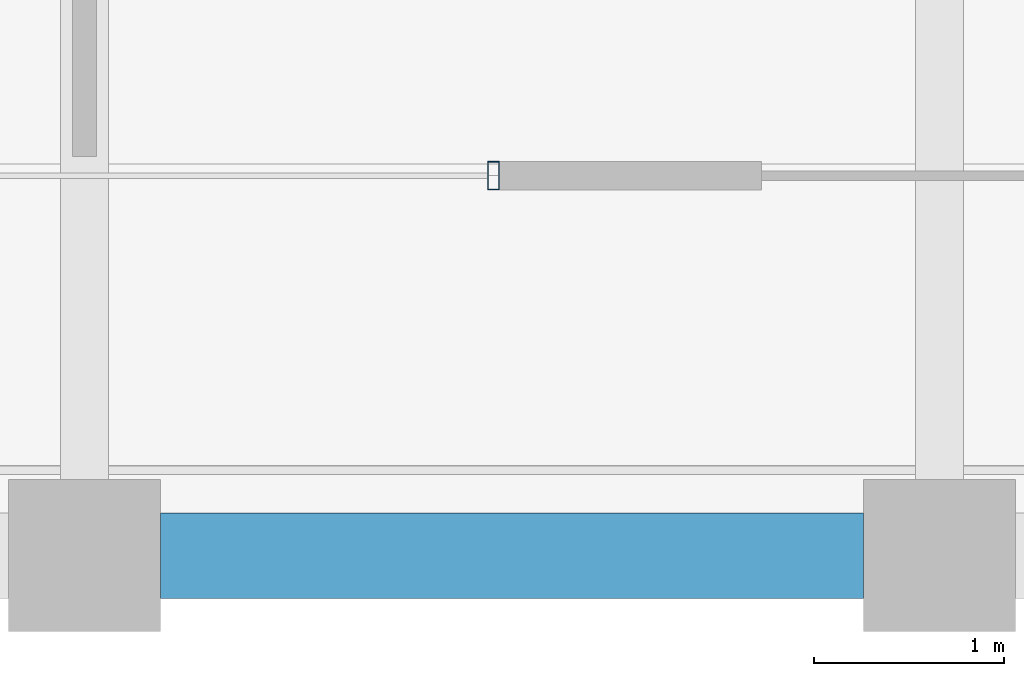
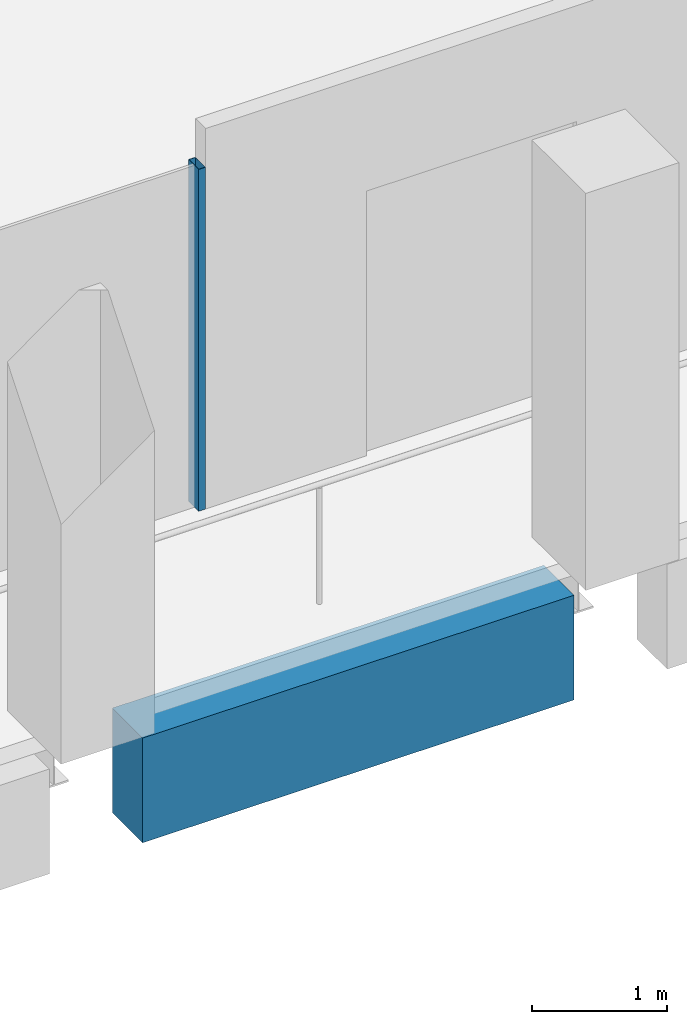
# One storey, part 7 of 40: 1 beam, 1 member, 1 element without a shape of its own.
"""IFC4 building model written with IfcOpenShell, lengths in metres."""

from ifc_helpers import new_model, si_unit, direction, frame, origin, origin_2d, place, context, subcontext, project, spatial, rectangle, hollow_rectangle, extrude, material, material_profile, profile_set, type_object, element, aggregate, save


model = new_model("IFC4")

# Units and contexts
model_context = context("Model", 3, precision=1e-05, world=origin(), true_north=direction((0.0, 1.0)))
body_context = subcontext(model_context, "Body", "Model", "MODEL_VIEW")
ifc_project = project(units=[si_unit("LENGTHUNIT", "METRE"), si_unit("AREAUNIT", "SQUARE_METRE"), si_unit("VOLUMEUNIT", "CUBIC_METRE"), si_unit("PLANEANGLEUNIT", "RADIAN"), si_unit("MASSUNIT", "GRAM", prefix="KILO")], contexts=[model_context])

# Site, building, storey
site_placement = place(None, origin())
site = spatial("IfcSite", under=ifc_project, at=site_placement, CompositionType="ELEMENT")
building_placement = place(site_placement, origin())
building = spatial("IfcBuilding", under=site, at=building_placement, Name="Altepetl Exchange Towers", CompositionType="ELEMENT")
storey_placement = place(building_placement, frame((0.0, 0.0, 199.199951171875)))
storey = spatial("IfcBuildingStorey", under=building, at=storey_placement, Name="L50", CompositionType="ELEMENT", Elevation=199.199951171875)

# Curtain wall, member
ifc_material_1 = material(Name="Aluminium 6063-T6 glazing", Category="aluminium")
curtain_wall_type = type_object("IfcCurtainWallType", Name="Loggia glazing system", PredefinedType="NOTDEFINED", material=ifc_material_1)
curtain_wall_placement = place(storey_placement, origin())
curtain_wall = element("IfcCurtainWall", 1, at=curtain_wall_placement, inside=storey, type_object=curtain_wall_type, Name="CW1 run", PredefinedType="NOTDEFINED")
ifc_material_2 = material(Name="Aluminium 6063-T6", Category="aluminium")
ifc_material_profile_1 = material_profile(ifc_material_2, hollow_rectangle(XDim=0.06005859375, YDim=0.14990234375, WallThickness=0.0029296875, at=origin_2d()), Name="Mullion 60x150 aluminium")
ifc_profile_set_1 = profile_set([ifc_material_profile_1], Name="Aluminium 6063-T6")
member_type = type_object("IfcMemberType", Name="Mullion 60x150 aluminium", PredefinedType="MULLION", material=ifc_profile_set_1)
member_placement = place(storey_placement, frame((47.152099609375, 29.0, 0.0)))
member = element("IfcMember", 2, at=member_placement, type_object=member_type, Name="MU1 mullion", PredefinedType="MULLION", context=body_context, shape_type="SweptSolid", body=[
    extrude(hollow_rectangle(XDim=0.06005859375, YDim=0.14990234375, WallThickness=0.0029296875, at=origin_2d()), origin(), (0.0, 0.0, 1.0), 3.10009765625),
])
aggregate(curtain_wall, [member])

# Beam
ifc_material_3 = material(Name="Concrete C50/60 precast with cantera blanca facing", Category="concrete")
ifc_material_profile_2 = material_profile(ifc_material_3, rectangle(XDim=0.449951171875, YDim=0.949951171875, at=origin_2d()), Name="450 x 950")
ifc_profile_set_2 = profile_set([ifc_material_profile_2], Name="Concrete C50/60 precast with cantera blanca facing")
beam_type = type_object("IfcBeamType", Name="Spandrel beam 450x950 cantera blanca", PredefinedType="SPANDREL", material=ifc_profile_set_2)
beam_placement = place(storey_placement, frame((45.39990234375, 27.0, -0.625), z_axis=(1.0, 0.0, 0.0), x_axis=(0.0, 1.0, 0.0)))
element("IfcBeam", 3, at=beam_placement, inside=storey, type_object=beam_type, Name="sp:A:L50:003", PredefinedType="SPANDREL", context=body_context, shape_type="SweptSolid", body=[
    extrude(rectangle(XDim=0.449951171875, YDim=0.949951171875, at=origin_2d()), origin(), (0.0, 0.0, 1.0), 3.7001953125),
])

save(model, "model.ifc")
